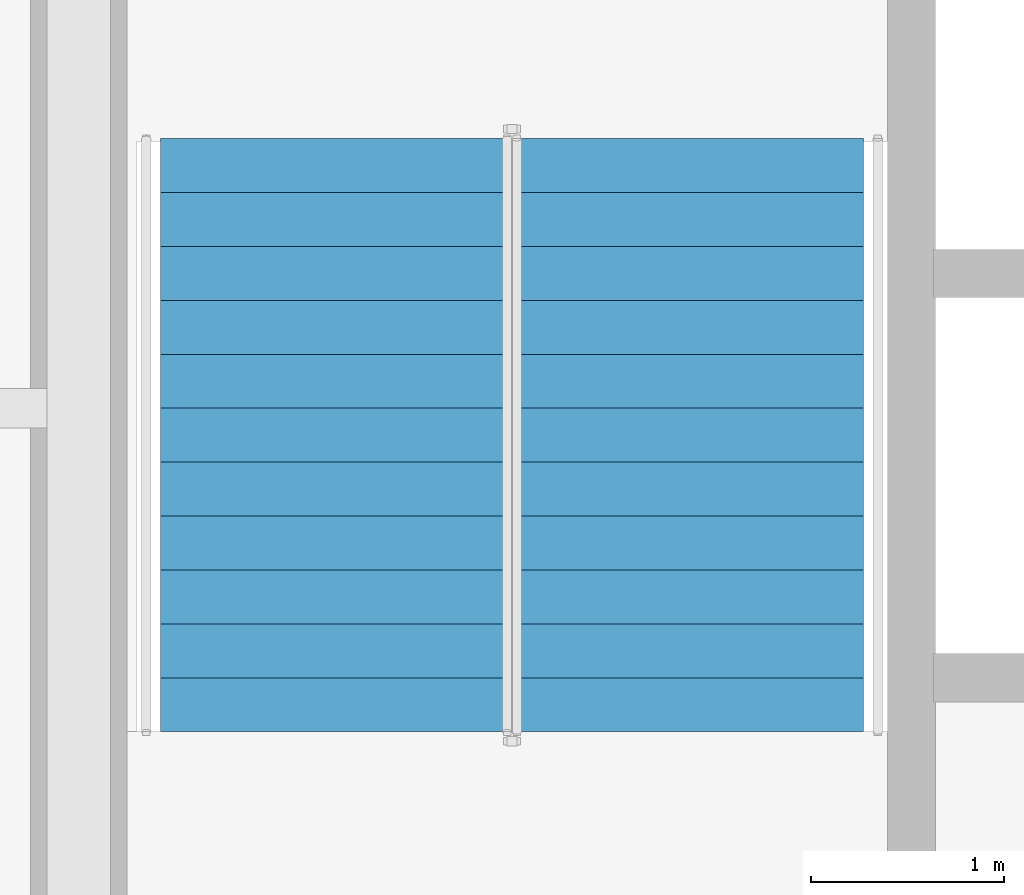
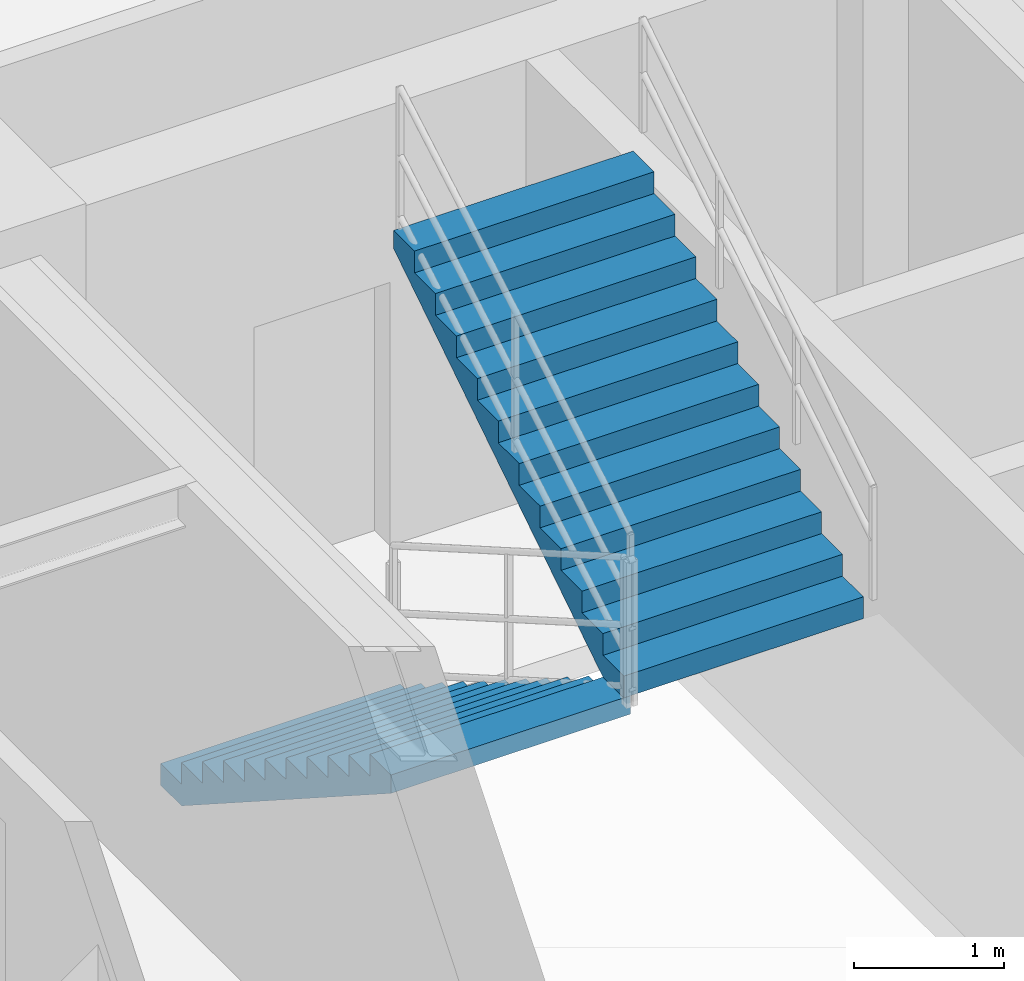
# One storey, part 6 of 9: 2 stair flights, 1 element without a shape of its own.
"""IFC4 building model written with IfcOpenShell, lengths in metres."""

from ifc_helpers import new_model, entity, si_unit, converted_unit, direction, frame, origin_with_axes, place, context, subcontext, project, spatial, polyline, outline, extrude, material, type_object, element, aggregate, save


model = new_model("IFC4")

# Units and contexts
model_context = context("Model", 3, precision=1e-05, world=origin_with_axes(), true_north=direction((0.0, 1.0)))
body_context = subcontext(model_context, "Body", "Model", "MODEL_VIEW")
ifc_project = project(units=[si_unit("LENGTHUNIT", "METRE"), si_unit("AREAUNIT", "SQUARE_METRE"), si_unit("VOLUMEUNIT", "CUBIC_METRE"), converted_unit("PLANEANGLEUNIT", "DEGREE", entity("IfcPlaneAngleMeasure", 0.017453292519943295), si_unit("PLANEANGLEUNIT", "RADIAN"), dimensions=[0, 0, 0, 0, 0, 0, 0]), si_unit("MASSUNIT", "GRAM", prefix="KILO"), si_unit("THERMODYNAMICTEMPERATUREUNIT", "KELVIN")], contexts=[model_context])

# Site, building, storey
site_placement = place(None, origin_with_axes())
site = spatial("IfcSite", under=ifc_project, at=site_placement, CompositionType="ELEMENT")
building_placement = place(site_placement, origin_with_axes())
building = spatial("IfcBuilding", under=site, at=building_placement, Name="Varnlund Millrace Tower", CompositionType="ELEMENT")
storey_placement = place(building_placement, frame((0.0, 0.0, 120.3), z_axis=(0.0, 0.0, 1.0), x_axis=(1.0, 0.0, 0.0)))
storey = spatial("IfcBuildingStorey", under=building, at=storey_placement, Name="L29", CompositionType="ELEMENT", Elevation=120.3)

# Stair, stair flights
ifc_material_1 = material(Name="Concrete C50/60", Category="concrete")
stair_type = type_object("IfcStairType", Name="Type-Stair-Dogleg-185-390", PredefinedType="HALF_TURN_STAIR", material=ifc_material_1)
stair_placement = place(storey_placement, origin_with_axes())
stair = element("IfcStair", 1, at=stair_placement, inside=storey, type_object=stair_type, Name="Type-Stair-Dogleg-185-390", PredefinedType="HALF_TURN_STAIR")
ifc_material_2 = material(Name="Precast concrete C50/60", Category="concrete")
stair_flight_type = type_object("IfcStairFlightType", Name="Type-Dogleg-Run-185-390", PredefinedType="STRAIGHT", material=ifc_material_2)
stair_flight_1_placement = place(storey_placement, frame((13.675, 35.9, 0.0), z_axis=(-1.0, 0.0, 0.0), x_axis=(0.0, -1.0, 0.0)))
stair_flight_1 = element("IfcStairFlight", 2, at=stair_flight_1_placement, type_object=stair_flight_type, Name="ST-A2 flight 1", NumberOfRisers=11, NumberOfTreads=11, PredefinedType="STRAIGHT", RiserHeight=0.177273, TreadLength=0.28, context=body_context, shape_type="SweptSolid", body=[
    extrude(outline(polyline([(0.0, 0.0), (0.0, 0.177273), (0.28, 0.177273), (0.28, 0.354545), (0.56, 0.354545), (0.56, 0.531818), (0.84, 0.531818), (0.84, 0.709091), (1.12, 0.709091), (1.12, 0.886364), (1.4, 0.886364), (1.4, 1.063636), (1.68, 1.063636), (1.68, 1.240909), (1.96, 1.240909), (1.96, 1.418182), (2.24, 1.418182), (2.24, 1.595454), (2.52, 1.595454), (2.52, 1.772727), (2.8, 1.772727), (2.8, 1.95), (3.08, 1.95), (3.08, 1.8), (0.28, 0.0), (0.0, 0.0)])), origin_with_axes(), (0.0, 0.0, 1.0), 1.85),
])
stair_flight_2_placement = place(storey_placement, frame((13.625, 32.82, 1.95), z_axis=(1.0, 0.0, 0.0), x_axis=(0.0, 1.0, 0.0)))
stair_flight_2 = element("IfcStairFlight", 3, at=stair_flight_2_placement, type_object=stair_flight_type, Name="ST-A2 flight 2", NumberOfRisers=11, NumberOfTreads=11, PredefinedType="STRAIGHT", RiserHeight=0.177273, TreadLength=0.28, context=body_context, shape_type="SweptSolid", body=[
    extrude(outline(polyline([(0.0, 0.0), (0.0, 0.177273), (0.28, 0.177273), (0.28, 0.354545), (0.56, 0.354545), (0.56, 0.531818), (0.84, 0.531818), (0.84, 0.709091), (1.12, 0.709091), (1.12, 0.886364), (1.4, 0.886364), (1.4, 1.063636), (1.68, 1.063636), (1.68, 1.240909), (1.96, 1.240909), (1.96, 1.418182), (2.24, 1.418182), (2.24, 1.595454), (2.52, 1.595454), (2.52, 1.772727), (2.8, 1.772727), (2.8, 1.95), (3.08, 1.95), (3.08, 1.8), (0.28, 0.0), (0.0, 0.0)])), origin_with_axes(), (0.0, 0.0, 1.0), 1.85),
])
aggregate(stair, [stair_flight_1, stair_flight_2])

save(model, "model.ifc")
